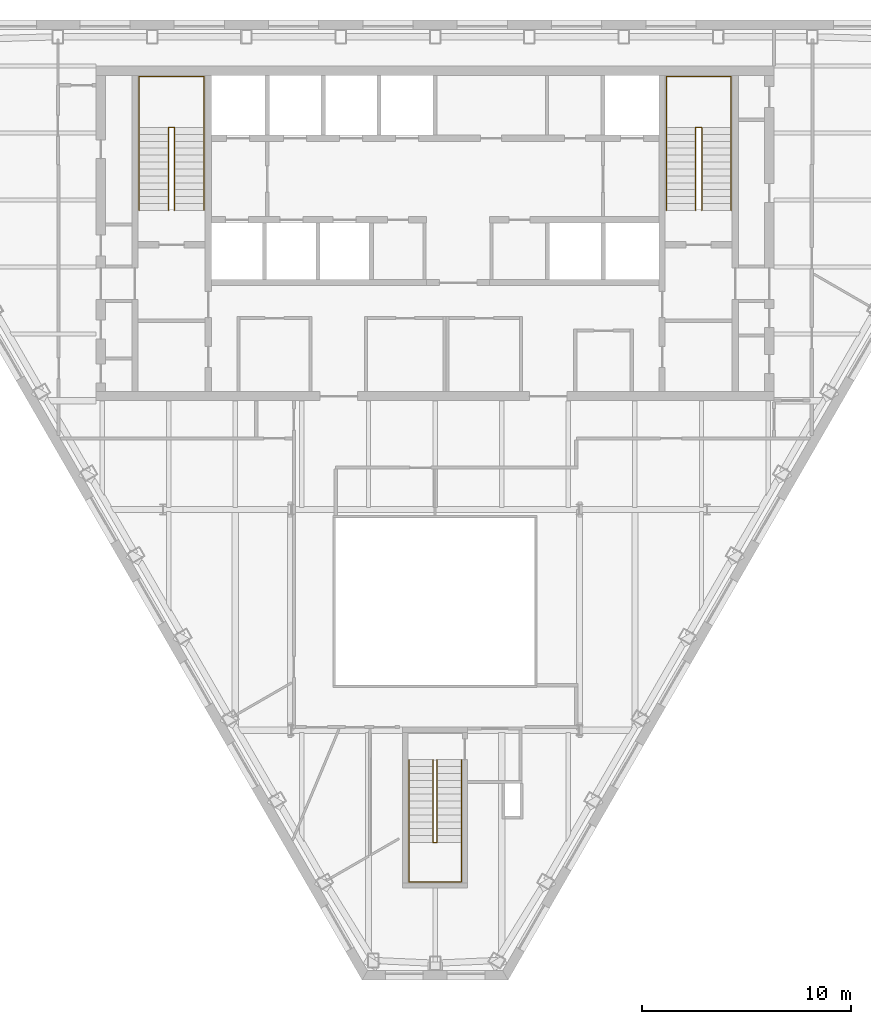
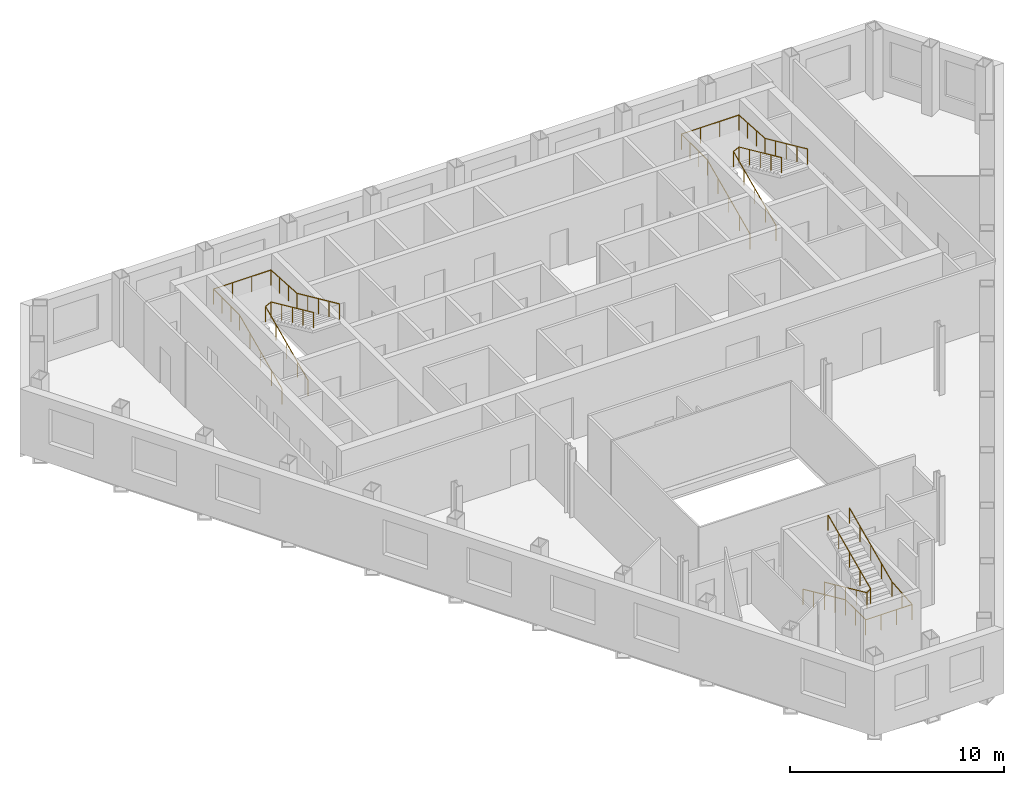
# One storey, part 11 of 11: 6 railings.
"""IFC4 building model written with IfcOpenShell, lengths in metres."""

from ifc_helpers import new_model, si_unit, direction, frame, origin, origin_2d, place, context, subcontext, project, spatial, circle, extrude, material, type_object, element, save


model = new_model("IFC4")

# Units and contexts
model_context = context("Model", 3, precision=1e-05, world=origin(), true_north=direction((0.0, 1.0)))
body_context = subcontext(model_context, "Body", "Model", "MODEL_VIEW")
ifc_project = project(units=[si_unit("LENGTHUNIT", "METRE"), si_unit("AREAUNIT", "SQUARE_METRE"), si_unit("VOLUMEUNIT", "CUBIC_METRE"), si_unit("PLANEANGLEUNIT", "RADIAN"), si_unit("MASSUNIT", "GRAM", prefix="KILO")], contexts=[model_context])

# Site, building, storey
site_placement = place(None, origin())
site = spatial("IfcSite", under=ifc_project, at=site_placement, CompositionType="ELEMENT")
building_placement = place(site_placement, origin())
building = spatial("IfcBuilding", under=site, at=building_placement, Name="Njiva Tower", CompositionType="ELEMENT")
storey_placement = place(building_placement, frame((0.0, 0.0, 216.0)))
storey = spatial("IfcBuildingStorey", under=building, at=storey_placement, Name="L48", CompositionType="ELEMENT", Elevation=216.0)

# Railings
ifc_material = material(Name="Stainless steel", Category="steel")
railing_type = type_object("IfcRailingType", Name="RL1 Stair handrail 900", PredefinedType="HANDRAIL", material=ifc_material)
railing_1_placement = place(storey_placement, frame((-14.15, 11.1, 0.15)))
element("IfcRailing", 1, at=railing_1_placement, inside=storey, type_object=railing_type, Name="Stair A handrail", PredefinedType="HANDRAIL", context=body_context, shape_type="SweptSolid", body=[
    extrude(circle(Radius=0.024, at=origin_2d()), frame((0.0, 0.0, 0.876), z_axis=(0.0, 0.910366477463, 0.413802944301), x_axis=(-1.0, 0.0, 0.0)), (0.0, 0.0, 1.0), 4.3499),
    extrude(circle(Radius=0.024, at=origin_2d()), frame((0.0, 3.96, 2.676), z_axis=(0.0, 1.0, 0.0), x_axis=(-1.0, 0.0, 0.0)), (0.0, 0.0, 1.0), 2.44),
    extrude(circle(Radius=0.024, at=origin_2d()), frame((0.0, 6.4, 2.676), z_axis=(1.0, 0.0, 0.0), x_axis=(0.0, 1.0, 0.0)), (0.0, 0.0, 1.0), 3.1),
    extrude(circle(Radius=0.024, at=origin_2d()), frame((3.1, 6.4, 2.676), z_axis=(0.0, -0.998115726137, 0.061359573328), x_axis=(1.0, 0.0, 0.0)), (0.0, 0.0, 1.0), 2.4446),
    extrude(circle(Radius=0.024, at=origin_2d()), frame((3.1, 3.96, 2.826), z_axis=(0.0, -0.910366477463, 0.413802944301), x_axis=(1.0, 0.0, 0.0)), (0.0, 0.0, 1.0), 4.3499),
    extrude(circle(Radius=0.021, at=origin_2d()), origin(), (0.0, 0.0, 1.0), 0.852),
    extrude(circle(Radius=0.021, at=origin_2d()), frame((0.0, 0.99, 0.45)), (0.0, 0.0, 1.0), 0.852),
    extrude(circle(Radius=0.021, at=origin_2d()), frame((0.0, 1.98, 0.9)), (0.0, 0.0, 1.0), 0.852),
    extrude(circle(Radius=0.021, at=origin_2d()), frame((0.0, 2.97, 1.35)), (0.0, 0.0, 1.0), 0.852),
    extrude(circle(Radius=0.021, at=origin_2d()), frame((0.0, 3.96, 1.8)), (0.0, 0.0, 1.0), 0.852),
    extrude(circle(Radius=0.021, at=origin_2d()), frame((0.0, 4.7733, 1.8)), (0.0, 0.0, 1.0), 0.852),
    extrude(circle(Radius=0.021, at=origin_2d()), frame((0.0, 5.5867, 1.8)), (0.0, 0.0, 1.0), 0.852),
    extrude(circle(Radius=0.021, at=origin_2d()), frame((0.0, 6.4, 1.8)), (0.0, 0.0, 1.0), 0.852),
    extrude(circle(Radius=0.021, at=origin_2d()), frame((1.0333, 6.4, 1.8)), (0.0, 0.0, 1.0), 0.852),
    extrude(circle(Radius=0.021, at=origin_2d()), frame((2.0667, 6.4, 1.8)), (0.0, 0.0, 1.0), 0.852),
    extrude(circle(Radius=0.021, at=origin_2d()), frame((3.1, 6.4, 1.8)), (0.0, 0.0, 1.0), 0.852),
    extrude(circle(Radius=0.021, at=origin_2d()), frame((3.1, 5.5867, 1.85)), (0.0, 0.0, 1.0), 0.852),
    extrude(circle(Radius=0.021, at=origin_2d()), frame((3.1, 4.7733, 1.9)), (0.0, 0.0, 1.0), 0.852),
    extrude(circle(Radius=0.021, at=origin_2d()), frame((3.1, 3.96, 1.95)), (0.0, 0.0, 1.0), 0.852),
    extrude(circle(Radius=0.021, at=origin_2d()), frame((3.1, 2.97, 2.4)), (0.0, 0.0, 1.0), 0.852),
    extrude(circle(Radius=0.021, at=origin_2d()), frame((3.1, 1.98, 2.85)), (0.0, 0.0, 1.0), 0.852),
    extrude(circle(Radius=0.021, at=origin_2d()), frame((3.1, 0.99, 3.3)), (0.0, 0.0, 1.0), 0.852),
    extrude(circle(Radius=0.021, at=origin_2d()), frame((3.1, 0.0, 3.75)), (0.0, 0.0, 1.0), 0.852),
])
railing_2_placement = place(storey_placement, frame((-12.75, 11.1, 0.15)))
element("IfcRailing", 2, at=railing_2_placement, inside=storey, type_object=railing_type, Name="Stair A handrail", PredefinedType="HANDRAIL", context=body_context, shape_type="SweptSolid", body=[
    extrude(circle(Radius=0.024, at=origin_2d()), frame((0.0, 0.0, 0.876), z_axis=(0.0, 0.910366477463, 0.413802944301), x_axis=(-1.0, 0.0, 0.0)), (0.0, 0.0, 1.0), 4.3499),
    extrude(circle(Radius=0.024, at=origin_2d()), frame((0.0, 3.96, 2.676), z_axis=(0.894427191, 0.0, 0.4472135955), x_axis=(0.0, 1.0, 0.0)), (0.0, 0.0, 1.0), 0.3354),
    extrude(circle(Radius=0.024, at=origin_2d()), frame((0.3, 3.96, 2.826), z_axis=(0.0, -0.910366477463, 0.413802944301), x_axis=(1.0, 0.0, 0.0)), (0.0, 0.0, 1.0), 4.3499),
    extrude(circle(Radius=0.021, at=origin_2d()), origin(), (0.0, 0.0, 1.0), 0.852),
    extrude(circle(Radius=0.021, at=origin_2d()), frame((0.0, 0.99, 0.45)), (0.0, 0.0, 1.0), 0.852),
    extrude(circle(Radius=0.021, at=origin_2d()), frame((0.0, 1.98, 0.9)), (0.0, 0.0, 1.0), 0.852),
    extrude(circle(Radius=0.021, at=origin_2d()), frame((0.0, 2.97, 1.35)), (0.0, 0.0, 1.0), 0.852),
    extrude(circle(Radius=0.021, at=origin_2d()), frame((0.0, 3.96, 1.8)), (0.0, 0.0, 1.0), 0.852),
    extrude(circle(Radius=0.021, at=origin_2d()), frame((0.3, 3.96, 1.95)), (0.0, 0.0, 1.0), 0.852),
    extrude(circle(Radius=0.021, at=origin_2d()), frame((0.3, 2.97, 2.4)), (0.0, 0.0, 1.0), 0.852),
    extrude(circle(Radius=0.021, at=origin_2d()), frame((0.3, 1.98, 2.85)), (0.0, 0.0, 1.0), 0.852),
    extrude(circle(Radius=0.021, at=origin_2d()), frame((0.3, 0.99, 3.3)), (0.0, 0.0, 1.0), 0.852),
    extrude(circle(Radius=0.021, at=origin_2d()), frame((0.3, 0.0, 3.75)), (0.0, 0.0, 1.0), 0.852),
])
railing_3_placement = place(storey_placement, frame((11.05, 11.1, 0.15)))
element("IfcRailing", 3, at=railing_3_placement, inside=storey, type_object=railing_type, Name="Stair B handrail", PredefinedType="HANDRAIL", context=body_context, shape_type="SweptSolid", body=[
    extrude(circle(Radius=0.024, at=origin_2d()), frame((0.0, 0.0, 0.876), z_axis=(0.0, 0.910366477463, 0.413802944301), x_axis=(-1.0, 0.0, 0.0)), (0.0, 0.0, 1.0), 4.3499),
    extrude(circle(Radius=0.024, at=origin_2d()), frame((0.0, 3.96, 2.676), z_axis=(0.0, 1.0, 0.0), x_axis=(-1.0, 0.0, 0.0)), (0.0, 0.0, 1.0), 2.44),
    extrude(circle(Radius=0.024, at=origin_2d()), frame((0.0, 6.4, 2.676), z_axis=(1.0, 0.0, 0.0), x_axis=(0.0, 1.0, 0.0)), (0.0, 0.0, 1.0), 3.1),
    extrude(circle(Radius=0.024, at=origin_2d()), frame((3.1, 6.4, 2.676), z_axis=(0.0, -0.998115726137, 0.061359573328), x_axis=(1.0, 0.0, 0.0)), (0.0, 0.0, 1.0), 2.4446),
    extrude(circle(Radius=0.024, at=origin_2d()), frame((3.1, 3.96, 2.826), z_axis=(0.0, -0.910366477463, 0.413802944301), x_axis=(1.0, 0.0, 0.0)), (0.0, 0.0, 1.0), 4.3499),
    extrude(circle(Radius=0.021, at=origin_2d()), origin(), (0.0, 0.0, 1.0), 0.852),
    extrude(circle(Radius=0.021, at=origin_2d()), frame((0.0, 0.99, 0.45)), (0.0, 0.0, 1.0), 0.852),
    extrude(circle(Radius=0.021, at=origin_2d()), frame((0.0, 1.98, 0.9)), (0.0, 0.0, 1.0), 0.852),
    extrude(circle(Radius=0.021, at=origin_2d()), frame((0.0, 2.97, 1.35)), (0.0, 0.0, 1.0), 0.852),
    extrude(circle(Radius=0.021, at=origin_2d()), frame((0.0, 3.96, 1.8)), (0.0, 0.0, 1.0), 0.852),
    extrude(circle(Radius=0.021, at=origin_2d()), frame((0.0, 4.7733, 1.8)), (0.0, 0.0, 1.0), 0.852),
    extrude(circle(Radius=0.021, at=origin_2d()), frame((0.0, 5.5867, 1.8)), (0.0, 0.0, 1.0), 0.852),
    extrude(circle(Radius=0.021, at=origin_2d()), frame((0.0, 6.4, 1.8)), (0.0, 0.0, 1.0), 0.852),
    extrude(circle(Radius=0.021, at=origin_2d()), frame((1.0333, 6.4, 1.8)), (0.0, 0.0, 1.0), 0.852),
    extrude(circle(Radius=0.021, at=origin_2d()), frame((2.0667, 6.4, 1.8)), (0.0, 0.0, 1.0), 0.852),
    extrude(circle(Radius=0.021, at=origin_2d()), frame((3.1, 6.4, 1.8)), (0.0, 0.0, 1.0), 0.852),
    extrude(circle(Radius=0.021, at=origin_2d()), frame((3.1, 5.5867, 1.85)), (0.0, 0.0, 1.0), 0.852),
    extrude(circle(Radius=0.021, at=origin_2d()), frame((3.1, 4.7733, 1.9)), (0.0, 0.0, 1.0), 0.852),
    extrude(circle(Radius=0.021, at=origin_2d()), frame((3.1, 3.96, 1.95)), (0.0, 0.0, 1.0), 0.852),
    extrude(circle(Radius=0.021, at=origin_2d()), frame((3.1, 2.97, 2.4)), (0.0, 0.0, 1.0), 0.852),
    extrude(circle(Radius=0.021, at=origin_2d()), frame((3.1, 1.98, 2.85)), (0.0, 0.0, 1.0), 0.852),
    extrude(circle(Radius=0.021, at=origin_2d()), frame((3.1, 0.99, 3.3)), (0.0, 0.0, 1.0), 0.852),
    extrude(circle(Radius=0.021, at=origin_2d()), frame((3.1, 0.0, 3.75)), (0.0, 0.0, 1.0), 0.852),
])
railing_4_placement = place(storey_placement, frame((12.45, 11.1, 0.15)))
element("IfcRailing", 4, at=railing_4_placement, inside=storey, type_object=railing_type, Name="Stair B handrail", PredefinedType="HANDRAIL", context=body_context, shape_type="SweptSolid", body=[
    extrude(circle(Radius=0.024, at=origin_2d()), frame((0.0, 0.0, 0.876), z_axis=(0.0, 0.910366477463, 0.413802944301), x_axis=(-1.0, 0.0, 0.0)), (0.0, 0.0, 1.0), 4.3499),
    extrude(circle(Radius=0.024, at=origin_2d()), frame((0.0, 3.96, 2.676), z_axis=(0.894427191, 0.0, 0.4472135955), x_axis=(0.0, 1.0, 0.0)), (0.0, 0.0, 1.0), 0.3354),
    extrude(circle(Radius=0.024, at=origin_2d()), frame((0.3, 3.96, 2.826), z_axis=(0.0, -0.910366477463, 0.413802944301), x_axis=(1.0, 0.0, 0.0)), (0.0, 0.0, 1.0), 4.3499),
    extrude(circle(Radius=0.021, at=origin_2d()), origin(), (0.0, 0.0, 1.0), 0.852),
    extrude(circle(Radius=0.021, at=origin_2d()), frame((0.0, 0.99, 0.45)), (0.0, 0.0, 1.0), 0.852),
    extrude(circle(Radius=0.021, at=origin_2d()), frame((0.0, 1.98, 0.9)), (0.0, 0.0, 1.0), 0.852),
    extrude(circle(Radius=0.021, at=origin_2d()), frame((0.0, 2.97, 1.35)), (0.0, 0.0, 1.0), 0.852),
    extrude(circle(Radius=0.021, at=origin_2d()), frame((0.0, 3.96, 1.8)), (0.0, 0.0, 1.0), 0.852),
    extrude(circle(Radius=0.021, at=origin_2d()), frame((0.3, 3.96, 1.95)), (0.0, 0.0, 1.0), 0.852),
    extrude(circle(Radius=0.021, at=origin_2d()), frame((0.3, 2.97, 2.4)), (0.0, 0.0, 1.0), 0.852),
    extrude(circle(Radius=0.021, at=origin_2d()), frame((0.3, 1.98, 2.85)), (0.0, 0.0, 1.0), 0.852),
    extrude(circle(Radius=0.021, at=origin_2d()), frame((0.3, 0.99, 3.3)), (0.0, 0.0, 1.0), 0.852),
    extrude(circle(Radius=0.021, at=origin_2d()), frame((0.3, 0.0, 3.75)), (0.0, 0.0, 1.0), 0.852),
])
railing_5_placement = place(storey_placement, frame((-1.25, -15.16, 0.15)))
element("IfcRailing", 5, at=railing_5_placement, inside=storey, type_object=railing_type, Name="Stair C handrail", PredefinedType="HANDRAIL", context=body_context, shape_type="SweptSolid", body=[
    extrude(circle(Radius=0.024, at=origin_2d()), frame((0.0, 0.0, 0.876), z_axis=(0.0, -0.910366477463, 0.413802944301), x_axis=(1.0, 0.0, 0.0)), (0.0, 0.0, 1.0), 4.3499),
    extrude(circle(Radius=0.024, at=origin_2d()), frame((0.0, -3.96, 2.676), z_axis=(0.0, -1.0, 0.0), x_axis=(1.0, 0.0, 0.0)), (0.0, 0.0, 1.0), 1.88),
    extrude(circle(Radius=0.024, at=origin_2d()), frame((0.0, -5.84, 2.676), z_axis=(1.0, 0.0, 0.0), x_axis=(0.0, 1.0, 0.0)), (0.0, 0.0, 1.0), 2.5),
    extrude(circle(Radius=0.024, at=origin_2d()), frame((2.5, -5.84, 2.676), z_axis=(0.0, 0.996832115713, 0.079534477318), x_axis=(-1.0, 0.0, 0.0)), (0.0, 0.0, 1.0), 1.886),
    extrude(circle(Radius=0.024, at=origin_2d()), frame((2.5, -3.96, 2.826), z_axis=(0.0, 0.910366477463, 0.413802944301), x_axis=(-1.0, 0.0, 0.0)), (0.0, 0.0, 1.0), 4.3499),
    extrude(circle(Radius=0.021, at=origin_2d()), origin(), (0.0, 0.0, 1.0), 0.852),
    extrude(circle(Radius=0.021, at=origin_2d()), frame((0.0, -0.99, 0.45)), (0.0, 0.0, 1.0), 0.852),
    extrude(circle(Radius=0.021, at=origin_2d()), frame((0.0, -1.98, 0.9)), (0.0, 0.0, 1.0), 0.852),
    extrude(circle(Radius=0.021, at=origin_2d()), frame((0.0, -2.97, 1.35)), (0.0, 0.0, 1.0), 0.852),
    extrude(circle(Radius=0.021, at=origin_2d()), frame((0.0, -3.96, 1.8)), (0.0, 0.0, 1.0), 0.852),
    extrude(circle(Radius=0.021, at=origin_2d()), frame((0.0, -4.9, 1.8)), (0.0, 0.0, 1.0), 0.852),
    extrude(circle(Radius=0.021, at=origin_2d()), frame((0.0, -5.84, 1.8)), (0.0, 0.0, 1.0), 0.852),
    extrude(circle(Radius=0.021, at=origin_2d()), frame((0.8333, -5.84, 1.8)), (0.0, 0.0, 1.0), 0.852),
    extrude(circle(Radius=0.021, at=origin_2d()), frame((1.6667, -5.84, 1.8)), (0.0, 0.0, 1.0), 0.852),
    extrude(circle(Radius=0.021, at=origin_2d()), frame((2.5, -5.84, 1.8)), (0.0, 0.0, 1.0), 0.852),
    extrude(circle(Radius=0.021, at=origin_2d()), frame((2.5, -4.9, 1.875)), (0.0, 0.0, 1.0), 0.852),
    extrude(circle(Radius=0.021, at=origin_2d()), frame((2.5, -3.96, 1.95)), (0.0, 0.0, 1.0), 0.852),
    extrude(circle(Radius=0.021, at=origin_2d()), frame((2.5, -2.97, 2.4)), (0.0, 0.0, 1.0), 0.852),
    extrude(circle(Radius=0.021, at=origin_2d()), frame((2.5, -1.98, 2.85)), (0.0, 0.0, 1.0), 0.852),
    extrude(circle(Radius=0.021, at=origin_2d()), frame((2.5, -0.99, 3.3)), (0.0, 0.0, 1.0), 0.852),
    extrude(circle(Radius=0.021, at=origin_2d()), frame((2.5, 0.0, 3.75)), (0.0, 0.0, 1.0), 0.852),
])
railing_6_placement = place(storey_placement, frame((-0.1, -15.16, 0.15)))
element("IfcRailing", 6, at=railing_6_placement, inside=storey, type_object=railing_type, Name="Stair C handrail", PredefinedType="HANDRAIL", context=body_context, shape_type="SweptSolid", body=[
    extrude(circle(Radius=0.024, at=origin_2d()), frame((0.0, 0.0, 0.876), z_axis=(0.0, -0.910366477463, 0.413802944301), x_axis=(1.0, 0.0, 0.0)), (0.0, 0.0, 1.0), 4.3499),
    extrude(circle(Radius=0.024, at=origin_2d()), frame((0.0, -3.96, 2.676), z_axis=(0.8, 0.0, 0.6), x_axis=(0.0, 1.0, 0.0)), (0.0, 0.0, 1.0), 0.25),
    extrude(circle(Radius=0.024, at=origin_2d()), frame((0.2, -3.96, 2.826), z_axis=(0.0, 0.910366477463, 0.413802944301), x_axis=(-1.0, 0.0, 0.0)), (0.0, 0.0, 1.0), 4.3499),
    extrude(circle(Radius=0.021, at=origin_2d()), origin(), (0.0, 0.0, 1.0), 0.852),
    extrude(circle(Radius=0.021, at=origin_2d()), frame((0.0, -0.99, 0.45)), (0.0, 0.0, 1.0), 0.852),
    extrude(circle(Radius=0.021, at=origin_2d()), frame((0.0, -1.98, 0.9)), (0.0, 0.0, 1.0), 0.852),
    extrude(circle(Radius=0.021, at=origin_2d()), frame((0.0, -2.97, 1.35)), (0.0, 0.0, 1.0), 0.852),
    extrude(circle(Radius=0.021, at=origin_2d()), frame((0.0, -3.96, 1.8)), (0.0, 0.0, 1.0), 0.852),
    extrude(circle(Radius=0.021, at=origin_2d()), frame((0.2, -3.96, 1.95)), (0.0, 0.0, 1.0), 0.852),
    extrude(circle(Radius=0.021, at=origin_2d()), frame((0.2, -2.97, 2.4)), (0.0, 0.0, 1.0), 0.852),
    extrude(circle(Radius=0.021, at=origin_2d()), frame((0.2, -1.98, 2.85)), (0.0, 0.0, 1.0), 0.852),
    extrude(circle(Radius=0.021, at=origin_2d()), frame((0.2, -0.99, 3.3)), (0.0, 0.0, 1.0), 0.852),
    extrude(circle(Radius=0.021, at=origin_2d()), frame((0.2, 0.0, 3.75)), (0.0, 0.0, 1.0), 0.852),
])

save(model, "model.ifc")
